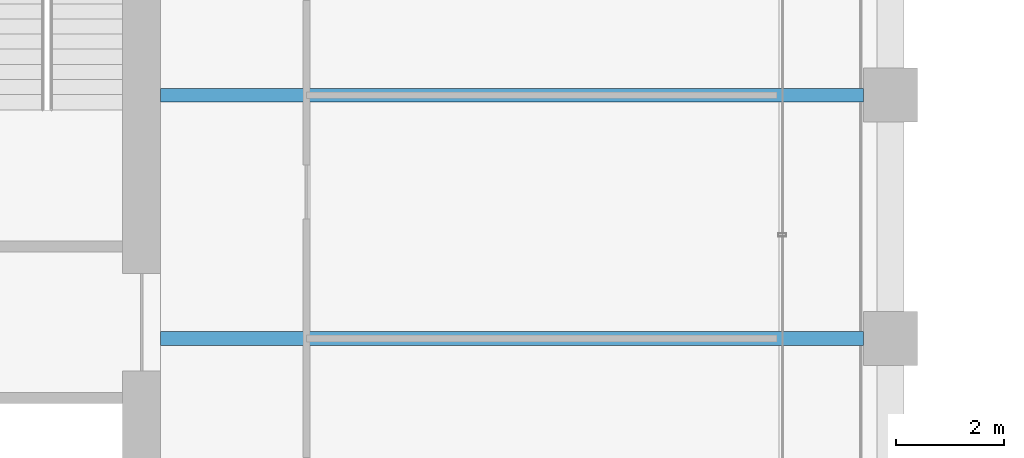
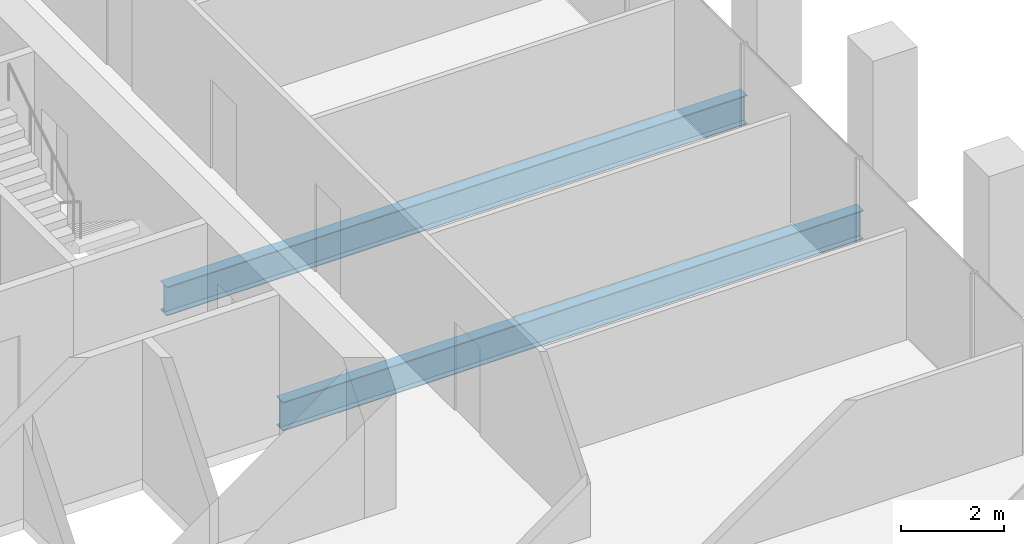
# One storey, part 16 of 46: 2 beams.
"""IFC4 building model written with IfcOpenShell, lengths in metres."""

from ifc_helpers import new_model, si_unit, direction, frame, origin, origin_2d, place, context, subcontext, project, spatial, i_section, extrude, material, material_profile, profile_set, type_object, element, save


model = new_model("IFC4")

# Units and contexts
model_context = context("Model", 3, precision=1e-05, world=origin(), true_north=direction((0.0, 1.0)))
body_context = subcontext(model_context, "Body", "Model", "MODEL_VIEW")
ifc_project = project(units=[si_unit("LENGTHUNIT", "METRE"), si_unit("AREAUNIT", "SQUARE_METRE"), si_unit("VOLUMEUNIT", "CUBIC_METRE"), si_unit("PLANEANGLEUNIT", "RADIAN"), si_unit("MASSUNIT", "GRAM", prefix="KILO")], contexts=[model_context])

# Site, building, storey
site_placement = place(None, origin())
site = spatial("IfcSite", under=ifc_project, at=site_placement, CompositionType="ELEMENT")
building_placement = place(site_placement, origin())
building = spatial("IfcBuilding", under=site, at=building_placement, Name="Altepetl Exchange Towers", CompositionType="ELEMENT")
storey_placement = place(building_placement, frame((0.0, 0.0, 135.199951171875)))
storey = spatial("IfcBuildingStorey", under=building, at=storey_placement, Name="L33", CompositionType="ELEMENT", Elevation=135.199951171875)

# Beams
ifc_material = material(Name="Steel S355", Category="steel")
ifc_material_profile = material_profile(ifc_material, i_section(OverallWidth=0.25390625, OverallDepth=0.68408203125, WebThickness=0.012451171875, FlangeThickness=0.018798828125, at=origin_2d()), Name="W27X94")
ifc_profile_set = profile_set([ifc_material_profile], Name="Steel S355")
beam_type = type_object("IfcBeamType", Name="Floor beam W27X94", PredefinedType="BEAM", material=ifc_profile_set)
for number, where, z_axis, x_axis, name in (
    (1, (58.5, 45.0, -0.491943359375), (1.0, 0.0, 0.0), (0.0, 1.0, 0.0), "bm:A:L33:009"),
    (2, (58.5, 49.5, -0.491943359375), (1.0, 0.0, 0.0), (0.0, 1.0, 0.0), "bm:A:L33:010"),
):
    element("IfcBeam", number, at=place(storey_placement, frame(where, z_axis=z_axis, x_axis=x_axis)), inside=storey, type_object=beam_type, Name=name, PredefinedType="BEAM", context=body_context, shape_type="SweptSolid", body=[
        extrude(i_section(OverallWidth=0.25390625, OverallDepth=0.68408203125, WebThickness=0.012451171875, FlangeThickness=0.018798828125, at=origin_2d()), origin(), (0.0, 0.0, 1.0), 13.0),
    ])

save(model, "model.ifc")
